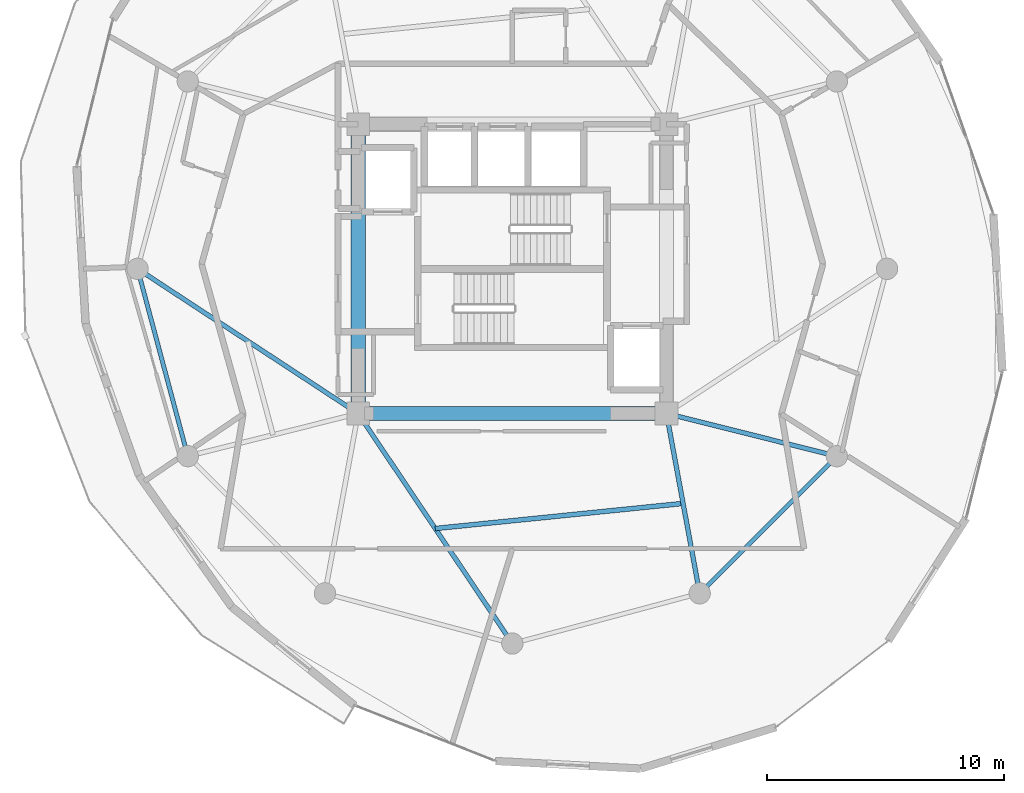
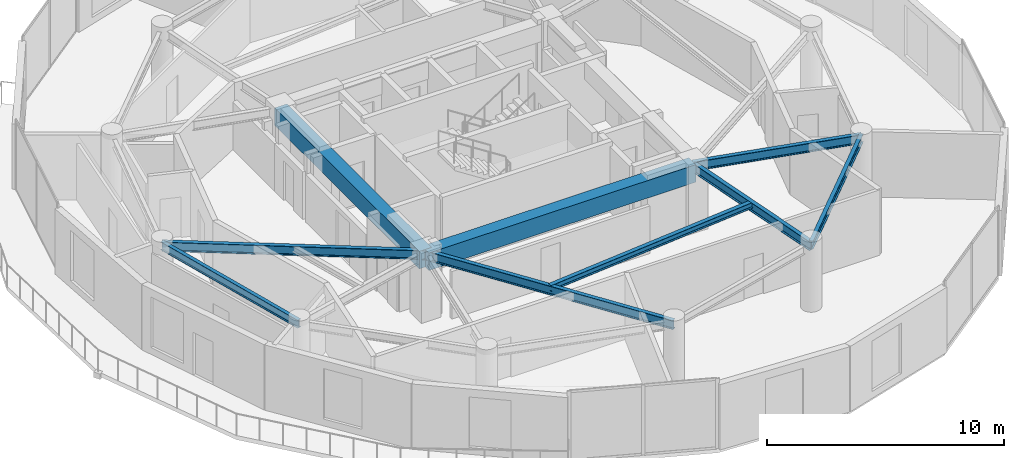
# One storey, part 5 of 18: 9 beams.
"""IFC4 building model written with IfcOpenShell, lengths in metres."""

from ifc_helpers import new_model, si_unit, direction, frame, origin, origin_2d, place, context, subcontext, project, spatial, rectangle, i_section, extrude, material, material_profile, profile_set, type_object, element, save


model = new_model("IFC4")

# Units and contexts
model_context = context("Model", 3, precision=1e-05, world=origin(), true_north=direction((0.0, 1.0)))
body_context = subcontext(model_context, "Body", "Model", "MODEL_VIEW")
ifc_project = project(units=[si_unit("LENGTHUNIT", "METRE"), si_unit("AREAUNIT", "SQUARE_METRE"), si_unit("VOLUMEUNIT", "CUBIC_METRE"), si_unit("PLANEANGLEUNIT", "RADIAN"), si_unit("MASSUNIT", "GRAM", prefix="KILO")], contexts=[model_context])

# Site, building, storey
site_placement = place(None, origin())
site = spatial("IfcSite", under=ifc_project, at=site_placement, CompositionType="ELEMENT")
building_placement = place(site_placement, origin())
building = spatial("IfcBuilding", under=site, at=building_placement, Name="Solvirekh Grand Hotel", CompositionType="ELEMENT")
storey_placement = place(building_placement, frame((0.0, 0.0, 198.39990234375)))
storey = spatial("IfcBuildingStorey", under=building, at=storey_placement, Name="L51", CompositionType="ELEMENT", Elevation=198.39990234375)

# Beams
ifc_material_1 = material(Name="Concrete C50/60", Category="concrete")
ifc_material_profile_1 = material_profile(ifc_material_1, rectangle(XDim=0.60009765625, YDim=0.89990234375, at=origin_2d()), Name="RC BEAM 600X900")
ifc_profile_set_1 = profile_set([ifc_material_profile_1], Name="Concrete C50/60")
beam_type_1 = type_object("IfcBeamType", Name="Beam_Core_RC900", PredefinedType="BEAM", material=ifc_profile_set_1)
beam_1_placement = place(storey_placement, frame((-6.5, -6.10009765625, 2.91015625), z_axis=(1.0, 0.0, 0.0), x_axis=(0.0, 1.0, 0.0)))
element("IfcBeam", 1, at=beam_1_placement, inside=storey, type_object=beam_type_1, Name="L51 core coupling ring beam 1", PredefinedType="BEAM", context=body_context, shape_type="SweptSolid", body=[
    extrude(rectangle(XDim=0.60009765625, YDim=0.89990234375, at=origin_2d()), origin(), (0.0, 0.0, 1.0), 13.0),
])
beam_2_placement = place(storey_placement, frame((-6.5, 6.10009765625, 2.91015625), z_axis=(0.0, -1.0, 0.0), x_axis=(1.0, 0.0, 0.0)))
element("IfcBeam", 2, at=beam_2_placement, inside=storey, type_object=beam_type_1, Name="L51 core coupling ring beam 4", PredefinedType="BEAM", context=body_context, shape_type="SweptSolid", body=[
    extrude(rectangle(XDim=0.60009765625, YDim=0.89990234375, at=origin_2d()), origin(), (0.0, 0.0, 1.0), 12.2001953125),
])
ifc_material_2 = material(Name="Steel S355", Category="steel")
ifc_material_profile_2 = material_profile(ifc_material_2, i_section(OverallWidth=0.194091796875, OverallDepth=0.468994140625, WebThickness=0.010986328125, FlangeThickness=0.01904296875, FilletRadius=0.012939453125, at=origin_2d()), Name="W460X106")
ifc_profile_set_2 = profile_set([ifc_material_profile_2], Name="Steel S355")
beam_type_2 = type_object("IfcBeamType", Name="Beam_Radial_W460H", PredefinedType="BEAM", material=ifc_profile_set_2)
beam_3_placement = place(storey_placement, frame((-6.5, -6.10009765625, 3.125), z_axis=(-0.836174064962, 0.548464158432, 0.0), x_axis=(-0.548464158432, -0.836174064962, 0.0)))
element("IfcBeam", 3, at=beam_3_placement, inside=storey, type_object=beam_type_2, Name="L51 radial floor beam R07", PredefinedType="BEAM", context=body_context, shape_type="SweptSolid", body=[
    extrude(i_section(OverallWidth=0.194091796875, OverallDepth=0.468994140625, WebThickness=0.010986328125, FlangeThickness=0.01904296875, FilletRadius=0.012939453125, at=origin_2d()), origin(), (0.0, 0.0, 1.0), 11.1220703125),
])
beam_4_placement = place(storey_placement, frame((-6.5, -6.10009765625, 3.125), z_axis=(0.556676926176, -0.830729077295, 0.0), x_axis=(0.830729077295, 0.556676926176, 0.0)))
element("IfcBeam", 4, at=beam_4_placement, inside=storey, type_object=beam_type_2, Name="L51 radial floor beam R10", PredefinedType="BEAM", context=body_context, shape_type="SweptSolid", body=[
    extrude(i_section(OverallWidth=0.194091796875, OverallDepth=0.468994140625, WebThickness=0.010986328125, FlangeThickness=0.01904296875, FilletRadius=0.012939453125, at=origin_2d()), origin(), (0.0, 0.0, 1.0), 11.676513671875),
])
beam_5_placement = place(storey_placement, frame((6.5, -6.10009765625, 3.125), z_axis=(0.181542769111, -0.983383049978, 0.0), x_axis=(0.983383049978, 0.181542769111, 0.0)))
element("IfcBeam", 5, at=beam_5_placement, inside=storey, type_object=beam_type_2, Name="L51 radial floor beam R11", PredefinedType="BEAM", context=body_context, shape_type="SweptSolid", body=[
    extrude(i_section(OverallWidth=0.194091796875, OverallDepth=0.468994140625, WebThickness=0.010986328125, FlangeThickness=0.01904296875, FilletRadius=0.012939453125, at=origin_2d()), origin(), (0.0, 0.0, 1.0), 7.711181640625),
])
beam_6_placement = place(storey_placement, frame((6.5, -6.10009765625, 3.125), z_axis=(0.970014367692, -0.243047580675, 0.0), x_axis=(0.243047580675, 0.970014367692, 0.0)))
element("IfcBeam", 6, at=beam_6_placement, inside=storey, type_object=beam_type_2, Name="L51 radial floor beam R12", PredefinedType="BEAM", context=body_context, shape_type="SweptSolid", body=[
    extrude(i_section(OverallWidth=0.194091796875, OverallDepth=0.468994140625, WebThickness=0.010986328125, FlangeThickness=0.01904296875, FilletRadius=0.012939453125, at=origin_2d()), origin(), (0.0, 0.0, 1.0), 7.4052734375),
])
ifc_material_profile_3 = material_profile(ifc_material_2, i_section(OverallWidth=0.202880859375, OverallDepth=0.302978515625, WebThickness=0.008056640625, FlangeThickness=0.012939453125, FilletRadius=0.010009765625, at=origin_2d()), Name="W310X60")
ifc_profile_set_3 = profile_set([ifc_material_profile_3], Name="Steel S355")
beam_type_3 = type_object("IfcBeamType", Name="Joist_Floor_W310", PredefinedType="JOIST", material=ifc_profile_set_3)
beam_7_placement = place(storey_placement, frame((-3.25, -10.949951171875, 3.2080078125), z_axis=(0.994915167737, 0.100716478326, 0.0), x_axis=(-0.100716478326, 0.994915167737, 0.0)))
element("IfcBeam", 7, at=beam_7_placement, inside=storey, type_object=beam_type_3, Name="L51 secondary composite floor joist 10", PredefinedType="JOIST", context=body_context, shape_type="SweptSolid", body=[
    extrude(i_section(OverallWidth=0.202880859375, OverallDepth=0.302978515625, WebThickness=0.008056640625, FlangeThickness=0.012939453125, FilletRadius=0.010009765625, at=origin_2d()), origin(), (0.0, 0.0, 1.0), 10.50341796875),
])
ifc_material_profile_4 = material_profile(ifc_material_2, i_section(OverallWidth=0.180908203125, OverallDepth=0.4169921875, WebThickness=0.010009765625, FlangeThickness=0.01611328125, FilletRadius=0.011962890625, at=origin_2d()), Name="W410X85")
ifc_profile_set_4 = profile_set([ifc_material_profile_4], Name="Steel S355")
beam_type_4 = type_object("IfcBeamType", Name="Spandrel_Ring_W410", PredefinedType="SPANDREL", material=ifc_profile_set_4)
for number, where, z_axis, x_axis, name in (
    (8, (-15.800048828125, 0.0, 3.152099609375), (0.258838541915, -0.965920601923, 0.0), (0.965920601923, 0.258838541915, 0.0), "L51 perimeter spandrel beam 7"),
    (9, (7.89990234375, -13.68310546875, 3.152099609375), (0.707106781187, 0.707106781187, 0.0), (-0.707106781187, 0.707106781187, 0.0), "L51 perimeter spandrel beam 11"),
):
    element("IfcBeam", number, at=place(storey_placement, frame(where, z_axis=z_axis, x_axis=x_axis)), inside=storey, type_object=beam_type_4, Name=name, PredefinedType="SPANDREL", context=body_context, shape_type="SweptSolid", body=[
        extrude(i_section(OverallWidth=0.180908203125, OverallDepth=0.4169921875, WebThickness=0.010009765625, FlangeThickness=0.01611328125, FilletRadius=0.011962890625, at=origin_2d()), origin(), (0.0, 0.0, 1.0), 8.1787109375),
    ])

save(model, "model.ifc")
